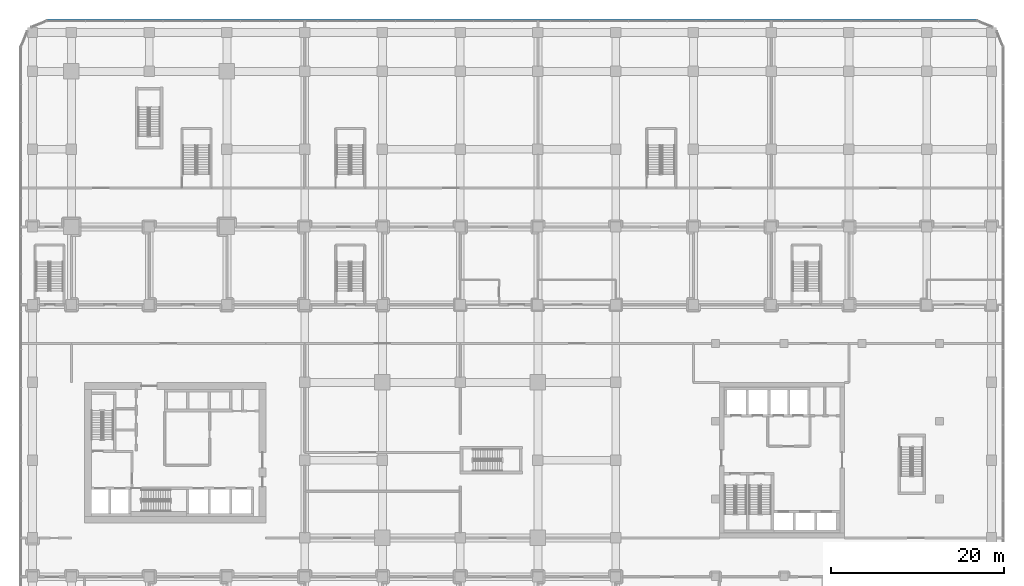
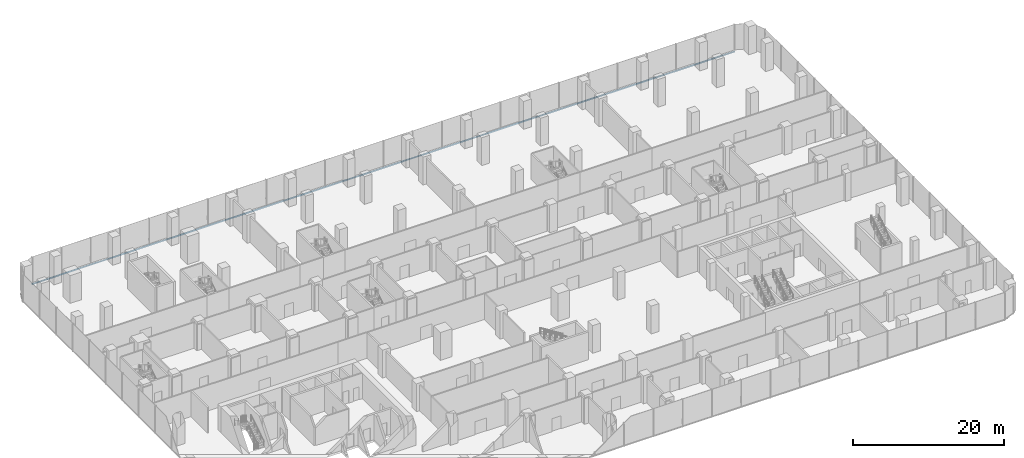
# One storey, part 23 of 43: 1 member, 1 element without a shape of its own.
"""IFC4 building model written with IfcOpenShell, lengths in metres."""

from ifc_helpers import new_model, si_unit, direction, frame, origin, origin_2d, place, context, subcontext, project, spatial, rectangle, extrude, material, layer, layer_set, material_profile, profile_set, type_object, element, aggregate, save


model = new_model("IFC4")

# Units and contexts
model_context = context("Model", 3, precision=1e-05, world=origin(), true_north=direction((0.0, 1.0)))
body_context = subcontext(model_context, "Body", "Model", "MODEL_VIEW")
ifc_project = project(units=[si_unit("LENGTHUNIT", "METRE"), si_unit("AREAUNIT", "SQUARE_METRE"), si_unit("VOLUMEUNIT", "CUBIC_METRE"), si_unit("PLANEANGLEUNIT", "RADIAN"), si_unit("MASSUNIT", "GRAM", prefix="KILO")], contexts=[model_context])

# Site, building, storey
site_placement = place(None, origin())
site = spatial("IfcSite", under=ifc_project, at=site_placement, CompositionType="ELEMENT")
building_placement = place(site_placement, origin())
building = spatial("IfcBuilding", under=site, at=building_placement, Name="Plateau Cross Towers", CompositionType="ELEMENT")
storey_placement = place(building_placement, frame((0.0, 0.0, 17.300048828125)))
storey = spatial("IfcBuildingStorey", under=building, at=storey_placement, Name="L03", CompositionType="ELEMENT", Elevation=17.300048828125)

# Curtain wall, member
ifc_material_1 = material(Name="Dark low-iron laminated glass", Category="glass")
ifc_layer = layer(ifc_material_1, 0.300048828125)
ifc_layer_set = layer_set([ifc_layer], Name="Dark low-iron laminated glass")
curtain_wall_type = type_object("IfcCurtainWallType", Name="Curtain wall structural silicone CW-C", PredefinedType="NOTDEFINED", material=ifc_layer_set)
curtain_wall_placement = place(storey_placement, origin())
curtain_wall = element("IfcCurtainWall", 1, at=curtain_wall_placement, inside=storey, type_object=curtain_wall_type, Name="ENV/P/L03/P1048_598", PredefinedType="NOTDEFINED")
ifc_material_2 = material(Name="Black anodised aluminium", Category="aluminium")
ifc_material_profile = material_profile(ifc_material_2, rectangle(XDim=0.10009765625, YDim=0.14990234375, at=origin_2d()), Name="TRANSOM 100x150")
ifc_profile_set = profile_set([ifc_material_profile], Name="Black anodised aluminium")
member_type = type_object("IfcMemberType", Name="Transom 100x150 structural silicone", PredefinedType="USERDEFINED", material=ifc_profile_set)
member_placement = place(storey_placement, frame((104.85009765625, 59.85009765625, -0.275146484375), z_axis=(-1.0, 0.0, 0.0), x_axis=(0.0, -1.0, 0.0)))
member = element("IfcMember", 2, at=member_placement, type_object=member_type, Name="CW-C transom", ObjectType="TRANSOM", PredefinedType="USERDEFINED", context=body_context, shape_type="SweptSolid", body=[
    extrude(rectangle(XDim=0.10009765625, YDim=0.14990234375, at=origin_2d()), origin(), (0.0, 0.0, 1.0), 107.7001953125),
])
aggregate(curtain_wall, [member])

save(model, "model.ifc")
